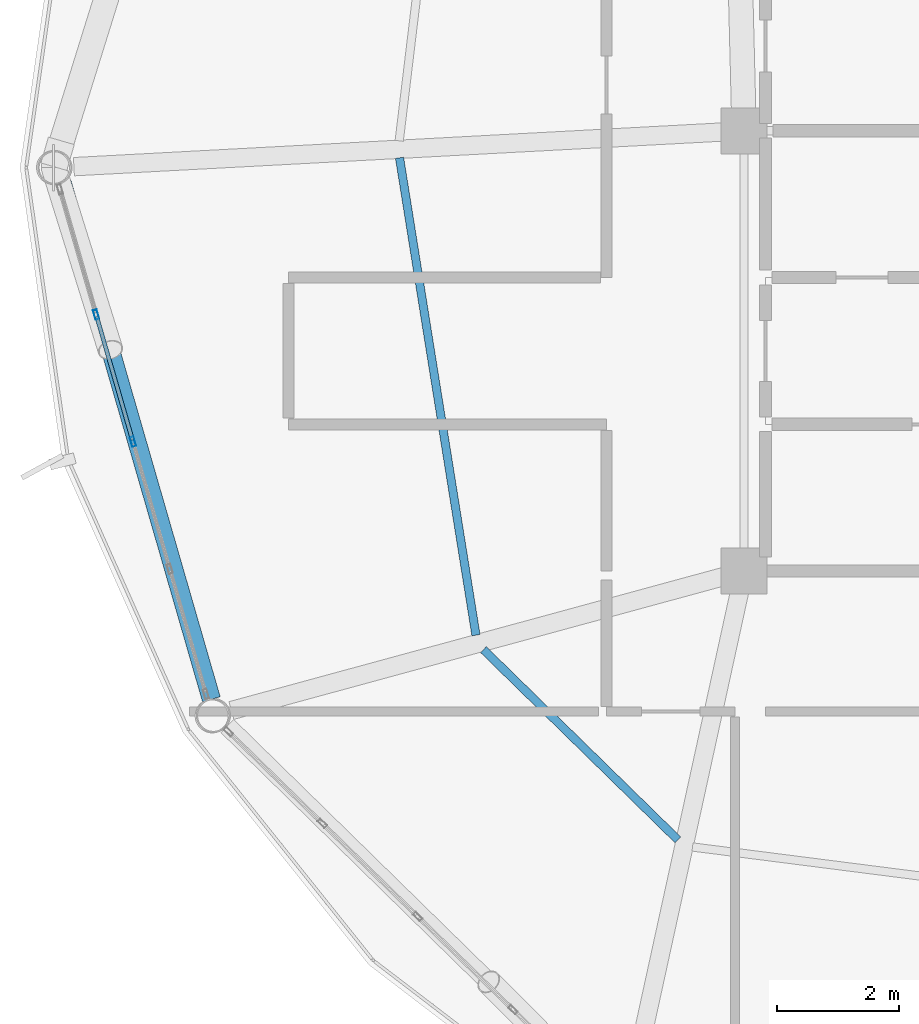
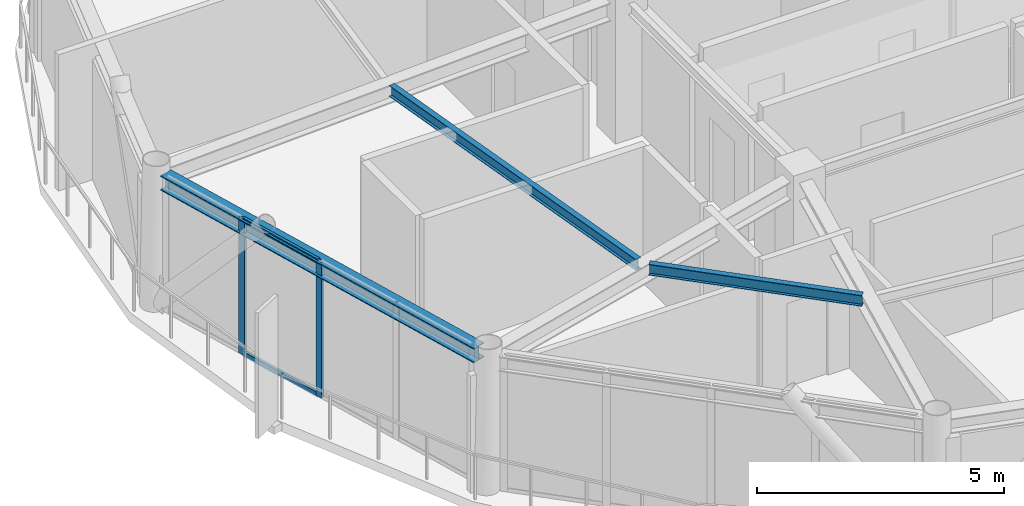
# One storey, part 5 of 27: 4 members, 3 beams, 1 element without a shape of its own.
"""IFC4 building model written with IfcOpenShell, lengths in metres."""

from ifc_helpers import new_model, si_unit, direction, frame, origin, origin_2d, place, context, subcontext, project, spatial, hollow_rectangle, i_section, extrude, material, layer, layer_set, material_profile, profile_set, type_object, element, aggregate, save


model = new_model("IFC4")

# Units and contexts
model_context = context("Model", 3, precision=1e-05, world=origin(), true_north=direction((0.0, 1.0)))
body_context = subcontext(model_context, "Body", "Model", "MODEL_VIEW")
ifc_project = project(units=[si_unit("LENGTHUNIT", "METRE"), si_unit("AREAUNIT", "SQUARE_METRE"), si_unit("VOLUMEUNIT", "CUBIC_METRE"), si_unit("PLANEANGLEUNIT", "RADIAN"), si_unit("MASSUNIT", "GRAM", prefix="KILO")], contexts=[model_context])

# Site, building, storey
site_placement = place(None, origin())
site = spatial("IfcSite", under=ifc_project, at=site_placement, CompositionType="ELEMENT")
building_placement = place(site_placement, origin())
building = spatial("IfcBuilding", under=site, at=building_placement, Name="Varnakorn Sky Granary", CompositionType="ELEMENT")
storey_placement = place(building_placement, frame((0.0, 0.0, 249.0)))
storey = spatial("IfcBuildingStorey", under=building, at=storey_placement, Name="L63", CompositionType="ELEMENT", Elevation=249.0)

# Beams
ifc_material_1 = material(Name="Steel S355JR", Category="steel")
ifc_material_profile_1 = material_profile(ifc_material_1, i_section(OverallWidth=0.135009765625, OverallDepth=0.27001953125, WebThickness=0.006591796875, FlangeThickness=0.01025390625, at=origin_2d()), Name="IPE 270")
ifc_profile_set_1 = profile_set([ifc_material_profile_1], Name="Steel S355JR")
beam_type_1 = type_object("IfcBeamType", Name="BM-SEC-Z5", PredefinedType="BEAM", material=ifc_profile_set_1)
beam_1_placement = place(storey_placement, frame((-7.986572265625, 0.159423828125, 3.22509765625), z_axis=(0.158088024266, -0.987425023272, 0.0), x_axis=(0.987425023272, 0.158088024266, 0.0)))
element("IfcBeam", 1, at=beam_1_placement, inside=storey, type_object=beam_type_1, Name="Secondary Floor Chord Beam MSB07 L63", PredefinedType="BEAM", context=body_context, shape_type="SweptSolid", body=[
    extrude(i_section(OverallWidth=0.135009765625, OverallDepth=0.27001953125, WebThickness=0.006591796875, FlangeThickness=0.01025390625, at=origin_2d()), origin(), (0.0, 0.0, 1.0), 7.908447265625),
])
beam_2_placement = place(storey_placement, frame((-6.6142578125, -7.8857421875, 3.22509765625), z_axis=(0.714770844227, -0.699358735016, 0.0), x_axis=(0.699358735016, 0.714770844227, 0.0)))
element("IfcBeam", 2, at=beam_2_placement, inside=storey, type_object=beam_type_1, Name="Secondary Floor Chord Beam MSB08 L63", PredefinedType="BEAM", context=body_context, shape_type="SweptSolid", body=[
    extrude(i_section(OverallWidth=0.135009765625, OverallDepth=0.27001953125, WebThickness=0.006591796875, FlangeThickness=0.01025390625, at=origin_2d()), origin(), (0.0, 0.0, 1.0), 4.451171875),
])
ifc_material_profile_2 = material_profile(ifc_material_1, i_section(OverallWidth=0.300048828125, OverallDepth=0.360107421875, WebThickness=0.012451171875, FlangeThickness=0.0224609375, at=origin_2d()), Name="HE 360 B")
ifc_profile_set_2 = profile_set([ifc_material_profile_2], Name="Steel S355JR")
beam_type_2 = type_object("IfcBeamType", Name="BM-SPD-Z5", PredefinedType="SPANDREL", material=ifc_profile_set_2)
beam_3_placement = place(storey_placement, frame((-13.503662109375, -0.254150390625, 3.179931640625), z_axis=(0.277500910444, -0.960725374237, 0.0), x_axis=(0.960725374237, 0.277500910444, 0.0)))
element("IfcBeam", 3, at=beam_3_placement, inside=storey, type_object=beam_type_2, Name="Perimeter Spandrel Ring Beam RB07 L63", PredefinedType="SPANDREL", context=body_context, shape_type="SweptSolid", body=[
    extrude(i_section(OverallWidth=0.300048828125, OverallDepth=0.360107421875, WebThickness=0.012451171875, FlangeThickness=0.0224609375, at=origin_2d()), origin(), (0.0, 0.0, 1.0), 8.7890625),
])

# Curtain wall, members
ifc_material_2 = material(Name="Anodised Bronze Aluminium Alloy 6063-T6", Category="aluminium")
ifc_layer = layer(ifc_material_2, 0.159912109375, Name="Anodised Bronze Aluminium Alloy 6063-T6")
ifc_layer_set = layer_set([ifc_layer], Name="Anodised Bronze Aluminium Alloy 6063-T6")
curtain_wall_type = type_object("IfcCurtainWallType", Name="CW-OFF-1", PredefinedType="USERDEFINED", material=ifc_layer_set)
curtain_wall_placement = place(storey_placement, origin())
curtain_wall = element("IfcCurtainWall", 4, at=curtain_wall_placement, inside=storey, type_object=curtain_wall_type, Name="Unitised Curtain Wall CW6 CW-L63-B07", ObjectType="CURTAIN WALL", PredefinedType="USERDEFINED")
ifc_material_profile_3 = material_profile(ifc_material_2, hollow_rectangle(XDim=0.06494140625, YDim=0.159912109375, WallThickness=0.00341796875, at=origin_2d()), Name="ALU MULL 65x160")
ifc_profile_set_3 = profile_set([ifc_material_profile_3], Name="Anodised Bronze Aluminium Alloy 6063-T6")
member_type_1 = type_object("IfcMemberType", Name="CW-OFF-1-MULL", PredefinedType="MULLION", material=ifc_profile_set_3)
member_1_placement = place(storey_placement, frame((-12.34765625, -4.484619140625, 0.0), z_axis=(0.0, 0.0, 1.0), x_axis=(-0.960610363601, -0.277898775352, 0.0)))
member_1 = element("IfcMember", 5, at=member_1_placement, type_object=member_type_1, Name="CW6 mullion 3", PredefinedType="MULLION", context=body_context, shape_type="SweptSolid", body=[
    extrude(hollow_rectangle(XDim=0.06494140625, YDim=0.159912109375, WallThickness=0.00341796875, at=origin_2d()), origin(), (0.0, 0.0, 1.0), 3.360107421875),
])
member_2_placement = place(storey_placement, frame((-12.94921875, -2.4052734375, 0.0), z_axis=(0.0, 0.0, 1.0), x_axis=(-0.960610363601, -0.277898775352, 0.0)))
member_2 = element("IfcMember", 6, at=member_2_placement, type_object=member_type_1, Name="CW6 mullion 4", PredefinedType="MULLION", context=body_context, shape_type="SweptSolid", body=[
    extrude(hollow_rectangle(XDim=0.06494140625, YDim=0.159912109375, WallThickness=0.00341796875, at=origin_2d()), origin(), (0.0, 0.0, 1.0), 3.360107421875),
])
ifc_material_profile_4 = material_profile(ifc_material_2, hollow_rectangle(XDim=0.06494140625, YDim=0.1201171875, WallThickness=0.00341796875, at=origin_2d()), Name="ALU TRAN 65x120")
ifc_profile_set_4 = profile_set([ifc_material_profile_4], Name="Anodised Bronze Aluminium Alloy 6063-T6")
member_type_2 = type_object("IfcMemberType", Name="CW-OFF-1-TRAN", PredefinedType="USERDEFINED", material=ifc_profile_set_4)
member_3_placement = place(storey_placement, frame((-12.356689453125, -4.453369140625, 0.032470703125), z_axis=(-0.277914076871, 0.960605936832, 0.0), x_axis=(-0.960605936832, -0.277914076871, 0.0)))
member_3 = element("IfcMember", 7, at=member_3_placement, type_object=member_type_2, Name="CW6 transom 3.1", ObjectType="TRANSOM", PredefinedType="USERDEFINED", context=body_context, shape_type="SweptSolid", body=[
    extrude(hollow_rectangle(XDim=0.06494140625, YDim=0.1201171875, WallThickness=0.00341796875, at=origin_2d()), origin(), (0.0, 0.0, 1.0), 2.099609375),
])
member_4_placement = place(storey_placement, frame((-12.356689453125, -4.453369140625, 3.327392578125), z_axis=(-0.277914076871, 0.960605936832, 0.0), x_axis=(-0.960605936832, -0.277914076871, 0.0)))
member_4 = element("IfcMember", 8, at=member_4_placement, type_object=member_type_2, Name="CW6 transom 3.2", ObjectType="TRANSOM", PredefinedType="USERDEFINED", context=body_context, shape_type="SweptSolid", body=[
    extrude(hollow_rectangle(XDim=0.06494140625, YDim=0.1201171875, WallThickness=0.00341796875, at=origin_2d()), origin(), (0.0, 0.0, 1.0), 2.099609375),
])
aggregate(curtain_wall, [member_1, member_2, member_3, member_4])

save(model, "model.ifc")
